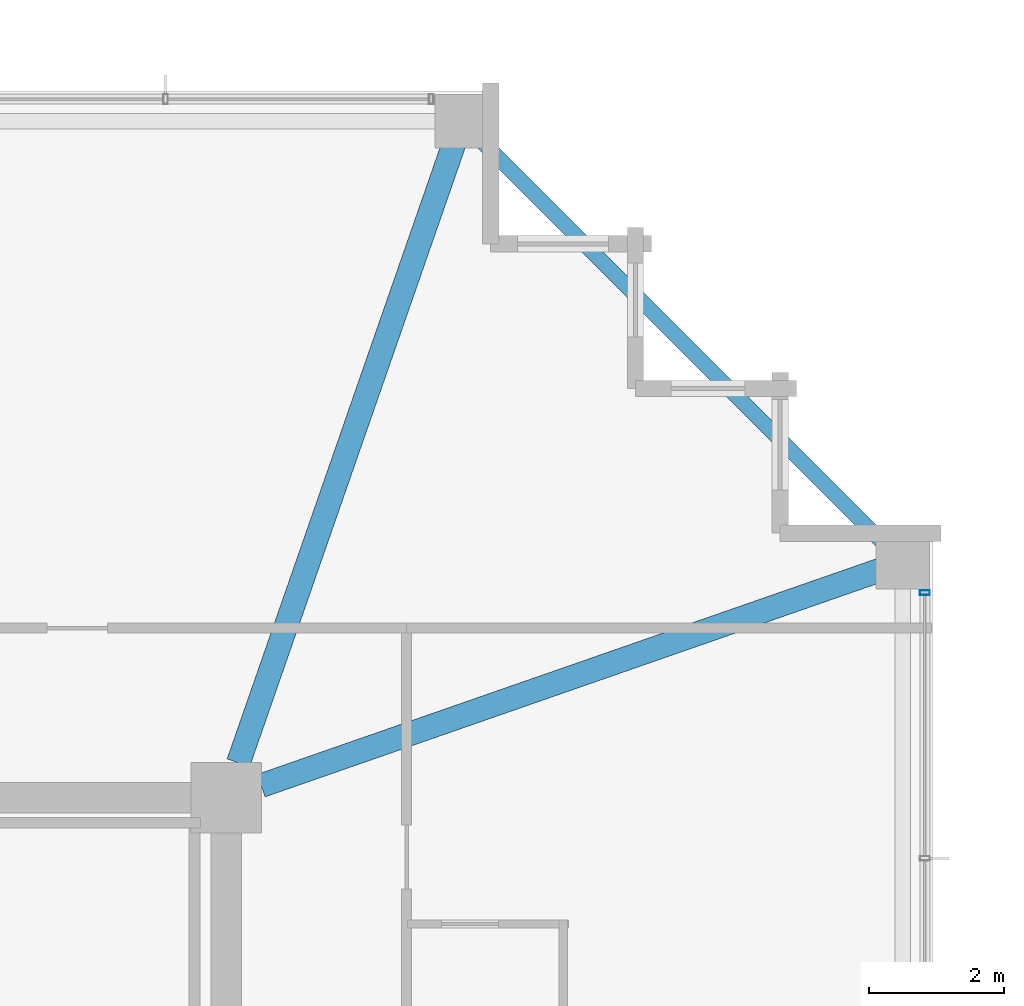
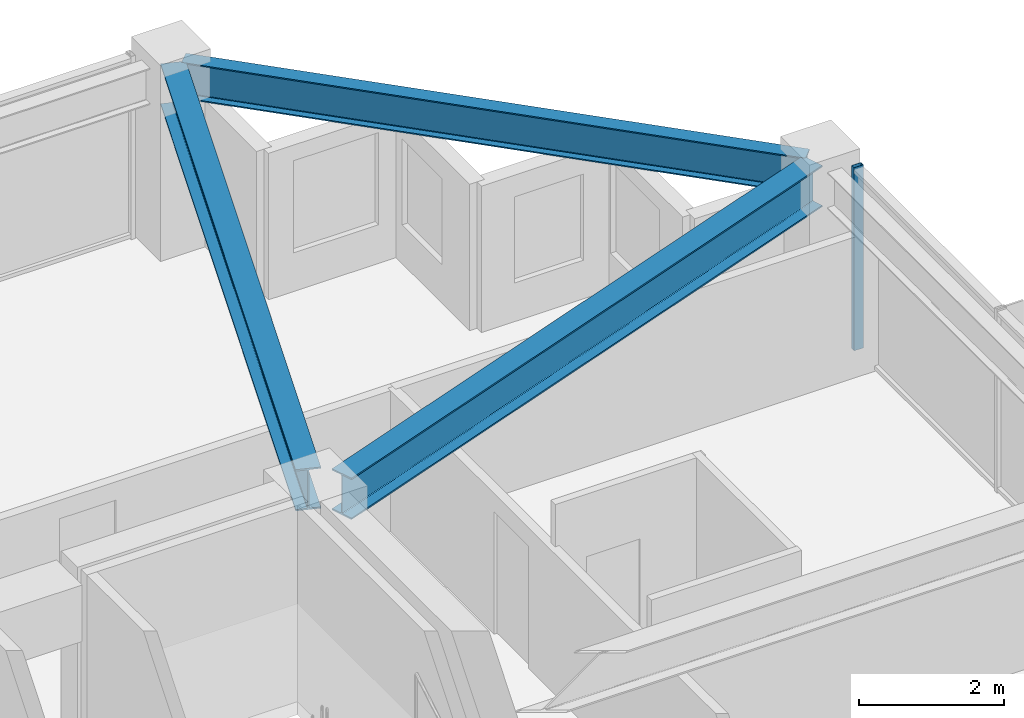
# One storey, part 18 of 33: 3 beams, 1 member, 1 element without a shape of its own.
"""IFC4 building model written with IfcOpenShell, lengths in metres."""

from ifc_helpers import new_model, si_unit, direction, frame, origin, origin_2d, place, context, subcontext, project, spatial, hollow_rectangle, i_section, extrude, material, material_profile, profile_set, type_object, element, aggregate, save


model = new_model("IFC4")

# Units and contexts
model_context = context("Model", 3, precision=1e-05, world=origin(), true_north=direction((0.0, 1.0)))
body_context = subcontext(model_context, "Body", "Model", "MODEL_VIEW")
ifc_project = project(units=[si_unit("LENGTHUNIT", "METRE"), si_unit("AREAUNIT", "SQUARE_METRE"), si_unit("VOLUMEUNIT", "CUBIC_METRE"), si_unit("PLANEANGLEUNIT", "RADIAN"), si_unit("MASSUNIT", "GRAM", prefix="KILO")], contexts=[model_context])

# Site, building, storey
site_placement = place(None, origin())
site = spatial("IfcSite", under=ifc_project, at=site_placement, CompositionType="ELEMENT")
building_placement = place(site_placement, origin())
building = spatial("IfcBuilding", under=site, at=building_placement, Name="Kolvaren Belvedere", CompositionType="ELEMENT")
storey_placement = place(building_placement, frame((0.0, 0.0, 209.699951171875)))
storey = spatial("IfcBuildingStorey", under=building, at=storey_placement, Name="L61", CompositionType="ELEMENT", Elevation=209.699951171875)

# Beams
ifc_material_1 = material(Name="Structural steel ASTM A992 Grade 50", Category="steel")
ifc_material_profile_1 = material_profile(ifc_material_1, i_section(OverallWidth=0.35498046875, OverallDepth=0.696044921875, WebThickness=0.015380859375, FlangeThickness=0.02490234375, FilletRadius=0.02197265625, at=origin_2d()), Name="W27X146")
ifc_profile_set_1 = profile_set([ifc_material_profile_1], Name="Structural steel ASTM A992 Grade 50")
beam_type_1 = type_object("IfcBeamType", Name="BM-GIRD-W27X146", PredefinedType="BEAM", material=ifc_profile_set_1)
for number, where, z_axis, x_axis, name in (
    (1, (10.080810546875, 10.41943359375, 2.73193359375), (0.328898147971, 0.944365399758, 0.0), (-0.944365399758, 0.328898147971, 0.0), "L61 Corner Core-to-Perimeter Girder CC3-N4"),
    (2, (10.41943359375, 10.080810546875, 2.73193359375), (0.944365399758, 0.328898147971, 0.0), (-0.328898147971, 0.944365399758, 0.0), "L61 Corner Core-to-Perimeter Girder CC3-E4"),
):
    element("IfcBeam", number, at=place(storey_placement, frame(where, z_axis=z_axis, x_axis=x_axis)), inside=storey, type_object=beam_type_1, Name=name, PredefinedType="BEAM", context=body_context, shape_type="SweptSolid", body=[
        extrude(i_section(OverallWidth=0.35498046875, OverallDepth=0.696044921875, WebThickness=0.015380859375, FlangeThickness=0.02490234375, FilletRadius=0.02197265625, at=origin_2d()), origin(), (0.0, 0.0, 1.0), 9.931884765625),
    ])
ifc_material_2 = material(Name="Structural steel ASTM A992 Grade 50", Category="steel")
ifc_material_profile_2 = material_profile(ifc_material_2, i_section(OverallWidth=0.22900390625, OverallDepth=0.612060546875, WebThickness=0.011962890625, FlangeThickness=0.01953125, FilletRadius=0.01806640625, at=origin_2d()), Name="W24X84")
ifc_profile_set_2 = profile_set([ifc_material_profile_2], Name="Structural steel ASTM A992 Grade 50")
beam_type_2 = type_object("IfcBeamType", Name="BM-SPAN-W24X84", PredefinedType="SPANDREL", material=ifc_profile_set_2)
beam_placement = place(storey_placement, frame((19.82275390625, 13.52734375, 2.774169921875), z_axis=(-0.707106781187, 0.707106781187, 0.0), x_axis=(-0.707106781187, -0.707106781187, 0.0)))
element("IfcBeam", 3, at=beam_placement, inside=storey, type_object=beam_type_2, Name="L61 Perimeter Spandrel E4-N4", PredefinedType="SPANDREL", context=body_context, shape_type="SweptSolid", body=[
    extrude(i_section(OverallWidth=0.22900390625, OverallDepth=0.612060546875, WebThickness=0.011962890625, FlangeThickness=0.01953125, FilletRadius=0.01806640625, at=origin_2d()), origin(), (0.0, 0.0, 1.0), 8.903076171875),
])

# Curtain wall, member
ifc_material_3 = material(Name="Anodised pale-metal aluminium AA 6063-T6", Category="aluminium")
curtain_wall_type = type_object("IfcCurtainWallType", Name="CW-Z5-HIGH", PredefinedType="NOTDEFINED", material=ifc_material_3)
curtain_wall_placement = place(storey_placement, origin())
curtain_wall = element("IfcCurtainWall", 4, at=curtain_wall_placement, inside=storey, type_object=curtain_wall_type, Name="L61 Unitised Curtain Wall FCW-L61-E-B1", PredefinedType="NOTDEFINED")
ifc_material_4 = material(Name="Anodised pale-metal aluminium AA 6063-T6", Category="aluminium")
ifc_material_profile_3 = material_profile(ifc_material_4, hollow_rectangle(XDim=0.070068359375, YDim=0.14990234375, WallThickness=0.004150390625, at=origin_2d()), Name="ALU-MUL-150X70")
ifc_profile_set_3 = profile_set([ifc_material_profile_3], Name="Anodised pale-metal aluminium AA 6063-T6")
member_type = type_object("IfcMemberType", Name="CW-MUL-150", PredefinedType="MULLION", material=ifc_profile_set_3)
member_placement = place(storey_placement, frame((20.280029296875, 12.945068359375, 0.0), z_axis=(0.0, 0.0, 1.0), x_axis=(0.0, 1.0, 0.0)))
member = element("IfcMember", 5, at=member_placement, type_object=member_type, Name="FCW-L61-E-B1 Unitised Mullion 1", PredefinedType="MULLION", context=body_context, shape_type="SweptSolid", body=[
    extrude(hollow_rectangle(XDim=0.070068359375, YDim=0.14990234375, WallThickness=0.004150390625, at=origin_2d()), origin(), (0.0, 0.0, 1.0), 3.080078125),
])
aggregate(curtain_wall, [member])

save(model, "model.ifc")
